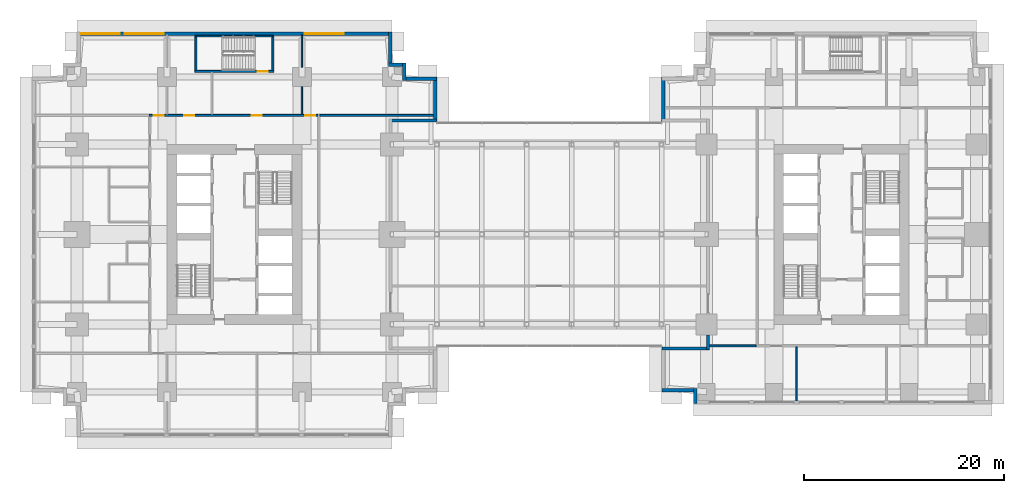
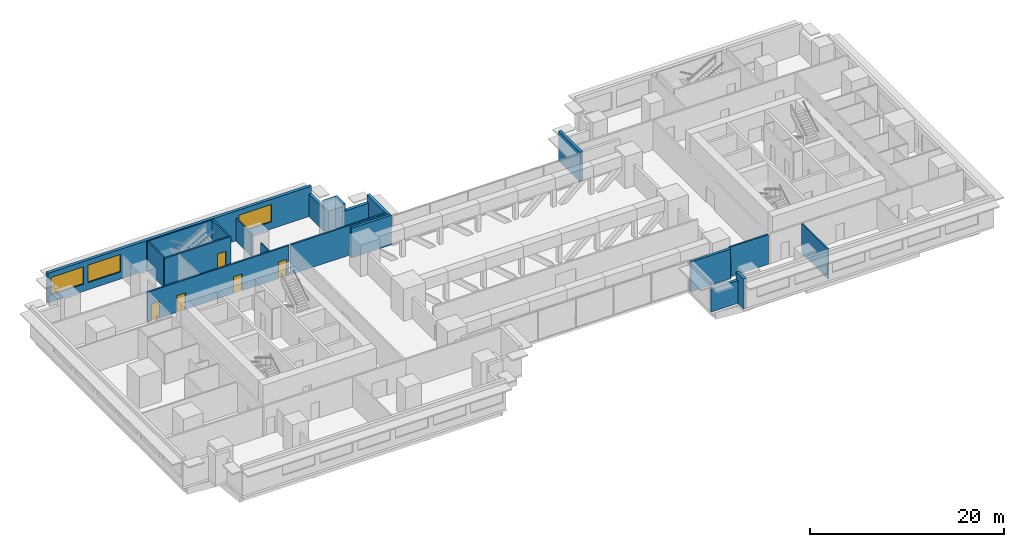
# One storey, part 9 of 15: 22 walls, 5 doors, 3 windows, 8 openings.
"""IFC4 building model written with IfcOpenShell, lengths in metres."""

import ifcopenshell
import ifcopenshell.guid

model = None  # the IFC model being written
_history = None  # IfcOwnerHistory: only IFC2X3 demands one
_inside = {}  # id of a spatial element -> (the spatial element, [elements in it])
_under = {}  # id of a project, library or spatial element -> (it, [spatial elements below it])
_declared = {}  # id of a project -> (the project, [libraries it declares])
_typed = {}  # id of a type object -> (the type object, [elements of that type])
_made_of = {}  # id of a material, layer set ... -> (it, [elements and type objects made of it])


def new_model(schema):
    """Start an empty IFC model of exactly this schema.

    Asked for "IFC4X3", IfcOpenShell would pick the latest addendum, in which some entities
    have other attributes; the version numbers below select the first issue.
    IFC2X3 requires an IfcOwnerHistory on every rooted entity: one is made here for all.
    """
    global model, _history
    if schema == "IFC4X3":
        model = ifcopenshell.file(schema_version=(4, 3, 0, 0))
    else:
        model = ifcopenshell.file(schema=schema)
    _inside.clear()
    _under.clear()
    _declared.clear()
    _typed.clear()
    _made_of.clear()
    _history = None
    if model.schema == "IFC2X3":
        org = make("IfcOrganization", Name="unknown")
        user = make(
            "IfcPersonAndOrganization",
            ThePerson=make("IfcPerson", FamilyName="unknown"),
            TheOrganization=org,
        )
        app = make(
            "IfcApplication",
            ApplicationDeveloper=org,
            Version="unknown",
            ApplicationFullName="unknown",
            ApplicationIdentifier="unknown",
        )
        _history = make(
            "IfcOwnerHistory",
            OwningUser=user,
            OwningApplication=app,
            ChangeAction="ADDED",
            CreationDate=0,
        )
    return model


def make(cls, **values):
    """One entity of the class cls with the attributes given. An attribute that is None is left unset."""
    return model.create_entity(
        cls, **{name: value for name, value in values.items() if value is not None}
    )


def rooted(cls, **values):
    """An entity with a GlobalId (a new one), such as an element, a storey or a relation."""
    return make(cls, GlobalId=ifcopenshell.guid.new(), OwnerHistory=_history, **values)


def si_unit(unit_type, name, prefix=None):
    """IfcSIUnit, for example si_unit("LENGTHUNIT", "METRE", prefix="MILLI")."""
    return make("IfcSIUnit", UnitType=unit_type, Prefix=prefix, Name=name)


def assignment(units):
    """IfcUnitAssignment: the units of a project."""
    return None if units is None else make("IfcUnitAssignment", Units=units)


def point(xyz):
    """IfcCartesianPoint."""
    return None if xyz is None else make("IfcCartesianPoint", Coordinates=xyz)


def direction(xyz):
    """IfcDirection."""
    return None if xyz is None else make("IfcDirection", DirectionRatios=xyz)


def frame(location, z_axis=None, x_axis=None):
    """IfcAxis2Placement3D, a coordinate frame: its origin and axes. An axis left out is left unset."""
    return make(
        "IfcAxis2Placement3D",
        Location=point(location),
        Axis=direction(z_axis),
        RefDirection=direction(x_axis),
    )


def frame_2d(location, x_axis=None):
    """IfcAxis2Placement2D, a coordinate frame in the plane: its origin and x axis."""
    return make(
        "IfcAxis2Placement2D", Location=point(location), RefDirection=direction(x_axis)
    )


def origin():
    """The frame at (0, 0, 0) with its axes left unset."""
    return frame((0.0, 0.0, 0.0))


def place(relative_to, where):
    """IfcLocalPlacement: puts the frame where relative to a parent placement (None: the world)."""
    return make(
        "IfcLocalPlacement", PlacementRelTo=relative_to, RelativePlacement=where
    )


def context(
    kind, dimensions, precision=None, world=None, true_north=None, identifier=None
):
    """IfcGeometricRepresentationContext, for example the 3D "Model" context."""
    return make(
        "IfcGeometricRepresentationContext",
        ContextIdentifier=identifier,
        ContextType=kind,
        CoordinateSpaceDimension=dimensions,
        Precision=precision,
        WorldCoordinateSystem=world,
        TrueNorth=true_north,
    )


def subcontext(parent, identifier, kind, view, scale=None):
    """IfcGeometricRepresentationSubContext, for example "Body" below "Model"."""
    return make(
        "IfcGeometricRepresentationSubContext",
        ContextIdentifier=identifier,
        ContextType=kind,
        ParentContext=parent,
        TargetScale=scale,
        TargetView=view,
    )


def project(units=None, contexts=None):
    """IfcProject with its units and contexts."""
    return rooted(
        "IfcProject",
        Name="project",
        RepresentationContexts=contexts,
        UnitsInContext=assignment(units),
    )


def spatial(cls, under=None, at=None, **own):
    """A site, building, storey or space (cls), placed at a placement, below another one or the project."""
    s = rooted(cls, ObjectPlacement=at, **own)
    if under is not None:
        _under.setdefault(under.id(), (under, []))[1].append(s)
    return s


def profile(cls, at=None, kind="AREA", **sizes):
    """A parametric profile (cls). Its sizes go by their IFC names, for example OverallWidth=200.0."""
    return make(cls, ProfileType=kind, Position=at, **sizes)


def rectangle(**sizes):
    """IfcRectangleProfileDef."""
    return profile("IfcRectangleProfileDef", **sizes)


def extrude(swept, where, along, depth):
    """IfcExtrudedAreaSolid: the profile swept, set in the frame where, extruded along a direction by depth."""
    return make(
        "IfcExtrudedAreaSolid",
        SweptArea=swept,
        Position=where,
        ExtrudedDirection=direction(along),
        Depth=depth,
    )


def shape(context_of_items, identifier, shape_type, items):
    """IfcShapeRepresentation: the items that make up one representation, for example the "Body"."""
    return make(
        "IfcShapeRepresentation",
        ContextOfItems=context_of_items,
        RepresentationIdentifier=identifier,
        RepresentationType=shape_type,
        Items=items,
    )


def material(Name=None, Category=None):
    """IfcMaterial."""
    return make("IfcMaterial", Name=Name, Category=Category)


def layer(
    of_material, thickness, ventilated=None, Name=None, Category=None, Priority=None
):
    """IfcMaterialLayer: one layer of a wall or slab, of a material (None: an air gap)."""
    return make(
        "IfcMaterialLayer",
        Material=of_material,
        LayerThickness=thickness,
        IsVentilated=ventilated,
        Name=Name,
        Category=Category,
        Priority=Priority,
    )


def layer_set(layers, Name=None):
    """IfcMaterialLayerSet."""
    return make("IfcMaterialLayerSet", MaterialLayers=layers, LayerSetName=Name)


def made_of(thing, what):
    """Note that an element or type object is made of a material, layer set ...; save() writes the relation."""
    if what is not None:
        _made_of.setdefault(what.id(), (what, []))[1].append(thing)
    return thing


def type_object(cls, material=None, **own):
    """A type object (cls), such as IfcWallType, which elements share."""
    return made_of(rooted(cls, **own), material)


def element(
    cls,
    number,
    at=None,
    inside=None,
    cuts=None,
    type_object=None,
    material=None,
    context=None,
    identifier="Body",
    shape_type=None,
    held_by="IfcProductDefinitionShape",
    body=None,
    shapes=None,
    **own,
):
    """One element of the class cls, such as IfcWall. Its Tag is "e" and its number.

    at: its placement. inside: the storey or other place that contains it. cuts: it is an
    opening in that element (IfcRelVoidsElement). A single representation is given by context,
    identifier, shape_type and body (its items); several are given by shapes. held_by: the class
    of the entity that holds the representations. save() writes the other relations.
    """
    e = rooted(cls, Tag="e%d" % number, ObjectPlacement=at, **own)
    if body is not None:
        shapes = [shape(context, identifier, shape_type, body)]
    if shapes is not None:
        e.Representation = make(held_by, Representations=shapes)
    if inside is not None:
        _inside.setdefault(inside.id(), (inside, []))[1].append(e)
    if cuts is not None:
        rooted(
            "IfcRelVoidsElement", RelatingBuildingElement=cuts, RelatedOpeningElement=e
        )
    if type_object is not None:
        _typed.setdefault(type_object.id(), (type_object, []))[1].append(e)
    return made_of(e, material)


def fill(opening, filler):
    """IfcRelFillsElement: the door or window that sits in an opening."""
    return rooted(
        "IfcRelFillsElement",
        RelatingOpeningElement=opening,
        RelatedBuildingElement=filler,
    )


def aggregate(whole, parts):
    """IfcRelAggregates: a whole, such as a stair, and the parts it consists of."""
    return rooted("IfcRelAggregates", RelatingObject=whole, RelatedObjects=parts)


def save(model, path):
    """Write the relations noted so far, then the file.

    IfcRelAggregates (storeys below a building ...), IfcRelContainedInSpatialStructure (elements
    in a storey), IfcRelDefinesByType, IfcRelAssociatesMaterial and IfcRelDeclares: one each for
    every whole, place, type object, material and project.
    """
    for whole, parts in _under.values():
        aggregate(whole, parts)
    for where, things in _inside.values():
        rooted(
            "IfcRelContainedInSpatialStructure",
            RelatedElements=things,
            RelatingStructure=where,
        )
    for kind, things in _typed.values():
        rooted("IfcRelDefinesByType", RelatedObjects=things, RelatingType=kind)
    for what, things in _made_of.values():
        rooted("IfcRelAssociatesMaterial", RelatedObjects=things, RelatingMaterial=what)
    for by, libraries in _declared.values():
        rooted("IfcRelDeclares", RelatingContext=by, RelatedDefinitions=libraries)
    model.write(path)


model = new_model("IFC4")

# Units and contexts
model_context = context("Model", 3, precision=1e-05, world=origin(), true_north=direction((0.0, 1.0)))
body_context = subcontext(model_context, "Body", "Model", "MODEL_VIEW")
ifc_project = project(units=[si_unit("LENGTHUNIT", "METRE"), si_unit("AREAUNIT", "SQUARE_METRE"), si_unit("VOLUMEUNIT", "CUBIC_METRE"), si_unit("PLANEANGLEUNIT", "RADIAN"), si_unit("MASSUNIT", "GRAM", prefix="KILO")], contexts=[model_context])

# Site, building, storey
site_placement = place(None, origin())
site = spatial("IfcSite", under=ifc_project, at=site_placement, CompositionType="ELEMENT")
building_placement = place(site_placement, origin())
building = spatial("IfcBuilding", under=site, at=building_placement, Name="Namib Vertical Campus", CompositionType="ELEMENT")
storey_placement = place(building_placement, frame((0.0, 0.0, 105.0)))
storey = spatial("IfcBuildingStorey", under=building, at=storey_placement, Name="L24", CompositionType="ELEMENT", Elevation=105.0)

# Wall, openings, doors
ifc_material_1 = material(Name="Concrete masonry", Category="masonry")
ifc_layer_1 = layer(ifc_material_1, 0.199951171875)
ifc_layer_set_1 = layer_set([ifc_layer_1], Name="Corridor wall 200")
wall_type_1 = type_object("IfcWallType", Name="Corridor wall 200", PredefinedType="SOLIDWALL", material=ifc_layer_set_1)
wall_1_placement = place(storey_placement, frame((28.60009765625, 32.14990234375, 0.0), z_axis=(0.0, 0.0, 1.0), x_axis=(-1.0, 0.0, 0.0)))
wall_1 = element("IfcWall", 1, at=wall_1_placement, inside=storey, type_object=wall_type_1, Name="Corridor wall A L24 CN", PredefinedType="SOLIDWALL", context=body_context, shape_type="SweptSolid", body=[
    extrude(rectangle(XDim=16.900146484375, YDim=0.199951171875, at=frame_2d((8.4501953125, 0.0))), origin(), (0.0, 0.0, 1.0), 3.75),
])
opening_1_placement = place(wall_1_placement, frame((15.425048828125, 0.0, 0.0)))
opening_1 = element("IfcOpeningElement", 2, at=opening_1_placement, cuts=wall_1, Name="Opening CD1", PredefinedType="OPENING", context=body_context, shape_type="SweptSolid", body=[
    extrude(rectangle(XDim=1.0, YDim=2.10009765625, at=frame_2d((0.5, 1.050048828125))), frame((0.0, 0.10986328125, 0.0), z_axis=(0.0, -1.0, 0.0), x_axis=(1.0, 0.0, 0.0)), (0.0, 0.0, 1.0), 0.219970703125),
])
opening_2_placement = place(wall_1_placement, frame((12.35009765625, 0.0, 0.0)))
opening_2 = element("IfcOpeningElement", 3, at=opening_2_placement, cuts=wall_1, Name="Opening CD1", PredefinedType="OPENING", context=body_context, shape_type="SweptSolid", body=[
    extrude(rectangle(XDim=1.0, YDim=2.10009765625, at=frame_2d((0.5, 1.050048828125))), frame((0.0, 0.10986328125, 0.0), z_axis=(0.0, -1.0, 0.0), x_axis=(1.0, 0.0, 0.0)), (0.0, 0.0, 1.0), 0.219970703125),
])
opening_3_placement = place(wall_1_placement, frame((5.60009765625, 0.0, 0.0)))
opening_3 = element("IfcOpeningElement", 4, at=opening_3_placement, cuts=wall_1, Name="Opening CD1", PredefinedType="OPENING", context=body_context, shape_type="SweptSolid", body=[
    extrude(rectangle(XDim=1.0, YDim=2.10009765625, at=frame_2d((0.5, 1.050048828125))), frame((0.0, 0.10986328125, 0.0), z_axis=(0.0, -1.0, 0.0), x_axis=(1.0, 0.0, 0.0)), (0.0, 0.0, 1.0), 0.219970703125),
])
opening_4_placement = place(wall_1_placement, frame((0.27490234375, 0.0, 0.0)))
opening_4 = element("IfcOpeningElement", 5, at=opening_4_placement, cuts=wall_1, Name="Opening CD1", PredefinedType="OPENING", context=body_context, shape_type="SweptSolid", body=[
    extrude(rectangle(XDim=1.0, YDim=2.10009765625, at=frame_2d((0.5, 1.050048828125))), frame((0.0, 0.10986328125, 0.0), z_axis=(0.0, -1.0, 0.0), x_axis=(1.0, 0.0, 0.0)), (0.0, 0.0, 1.0), 0.219970703125),
])
ifc_material_2 = material(Name="Timber fire door leaf", Category="wood")
door_type_1 = type_object("IfcDoorType", Name="Corridor door 1000x2100 20 min", OperationType="SINGLE_SWING_LEFT", PredefinedType="DOOR", material=ifc_material_2)
door_1_placement = place(opening_1_placement, frame((1.0, 0.0, 0.0), z_axis=(0.0, 0.0, 1.0), x_axis=(-1.0, 0.0, 0.0)))
door_1 = element("IfcDoor", 6, at=door_1_placement, inside=storey, type_object=door_type_1, Name="Door CD1 A24-05", OperationType="SINGLE_SWING_RIGHT", OverallHeight=2.10009765625, OverallWidth=1.0, PredefinedType="DOOR", context=body_context, shape_type="SweptSolid", body=[
    extrude(rectangle(XDim=1.0, YDim=2.10009765625, at=frame_2d((0.5, 1.050048828125))), frame((0.0, 0.02490234375, 0.0), z_axis=(0.0, -1.0, 0.0), x_axis=(1.0, 0.0, 0.0)), (0.0, 0.0, 1.0), 0.050048828125),
])
fill(opening_1, door_1)
door_2_placement = place(opening_2_placement, frame((1.0, 0.0, 0.0), z_axis=(0.0, 0.0, 1.0), x_axis=(-1.0, 0.0, 0.0)))
door_2 = element("IfcDoor", 7, at=door_2_placement, inside=storey, type_object=door_type_1, Name="Door CD1 A24-06", OperationType="SINGLE_SWING_RIGHT", OverallHeight=2.10009765625, OverallWidth=1.0, PredefinedType="DOOR", context=body_context, shape_type="SweptSolid", body=[
    extrude(rectangle(XDim=1.0, YDim=2.10009765625, at=frame_2d((0.5, 1.050048828125))), frame((0.0, 0.02490234375, 0.0), z_axis=(0.0, -1.0, 0.0), x_axis=(1.0, 0.0, 0.0)), (0.0, 0.0, 1.0), 0.050048828125),
])
fill(opening_2, door_2)
door_3_placement = place(opening_3_placement, frame((1.0, 0.0, 0.0), z_axis=(0.0, 0.0, 1.0), x_axis=(-1.0, 0.0, 0.0)))
door_3 = element("IfcDoor", 8, at=door_3_placement, inside=storey, type_object=door_type_1, Name="Door CD1 A24-07", OperationType="SINGLE_SWING_RIGHT", OverallHeight=2.10009765625, OverallWidth=1.0, PredefinedType="DOOR", context=body_context, shape_type="SweptSolid", body=[
    extrude(rectangle(XDim=1.0, YDim=2.10009765625, at=frame_2d((0.5, 1.050048828125))), frame((0.0, 0.02490234375, 0.0), z_axis=(0.0, -1.0, 0.0), x_axis=(1.0, 0.0, 0.0)), (0.0, 0.0, 1.0), 0.050048828125),
])
fill(opening_3, door_3)
door_4_placement = place(opening_4_placement, frame((1.0, 0.0, 0.0), z_axis=(0.0, 0.0, 1.0), x_axis=(-1.0, 0.0, 0.0)))
door_4 = element("IfcDoor", 9, at=door_4_placement, inside=storey, type_object=door_type_1, Name="Door CD1 A24-08", OperationType="SINGLE_SWING_LEFT", OverallHeight=2.10009765625, OverallWidth=1.0, PredefinedType="DOOR", context=body_context, shape_type="SweptSolid", body=[
    extrude(rectangle(XDim=1.0, YDim=2.10009765625, at=frame_2d((0.5, 1.050048828125))), frame((0.0, 0.02490234375, 0.0), z_axis=(0.0, -1.0, 0.0), x_axis=(1.0, 0.0, 0.0)), (0.0, 0.0, 1.0), 0.050048828125),
])
fill(opening_4, door_4)

# Walls
wall_2_placement = place(storey_placement, frame((28.800048828125, 32.14990234375, 0.0), z_axis=(0.0, 0.0, 1.0), x_axis=(1.0, 0.0, 0.0)))
element("IfcWall", 10, at=wall_2_placement, inside=storey, type_object=wall_type_1, Name="Partition A L24 BNE", PredefinedType="SOLIDWALL", context=body_context, shape_type="SweptSolid", body=[
    extrude(rectangle(XDim=11.39990234375, YDim=0.199951171875, at=frame_2d((5.699951171875, 0.0))), origin(), (0.0, 0.0, 1.0), 3.75),
])
wall_3_placement = place(storey_placement, frame((67.800048828125, 9.10009765625, 0.0), z_axis=(0.0, 0.0, 1.0), x_axis=(1.0, 0.0, 0.0)))
element("IfcWall", 11, at=wall_3_placement, inside=storey, type_object=wall_type_1, Name="Partition B L24 BSW", PredefinedType="SOLIDWALL", context=body_context, shape_type="SweptSolid", body=[
    extrude(rectangle(XDim=4.64990234375, YDim=0.199951171875, at=frame_2d((2.324951171875, 0.0))), origin(), (0.0, 0.0, 1.0), 3.75),
])
ifc_material_3 = material(Name="Concrete C40/50", Category="concrete")
ifc_layer_2 = layer(ifc_material_3, 0.35009765625)
ifc_layer_set_2 = layer_set([ifc_layer_2], Name="Concrete C40/50")
wall_type_2 = type_object("IfcWallType", Name="External wall 350 bush-hammered concrete", PredefinedType="STANDARD", material=ifc_layer_set_2)
wall_4_placement = place(storey_placement, frame((40.324951171875, 31.52001953125, 0.0), z_axis=(0.0, 0.0, 1.0), x_axis=(0.0, 1.0, 0.0)))
element("IfcWall", 12, at=wall_4_placement, inside=storey, type_object=wall_type_2, Name="External wall L24 F11", PredefinedType="STANDARD", context=body_context, shape_type="SweptSolid", body=[
    extrude(rectangle(XDim=4.4599609375, YDim=0.35009765625, at=frame_2d((2.22998046875, 0.0))), origin(), (0.0, 0.0, 1.0), 3.75),
])
wall_5_placement = place(storey_placement, frame((40.47998046875, 35.824951171875, 0.0), z_axis=(0.0, 0.0, 1.0), x_axis=(-1.0, 0.0, 0.0)))
element("IfcWall", 13, at=wall_5_placement, inside=storey, type_object=wall_type_2, Name="External wall L24 F12", PredefinedType="STANDARD", context=body_context, shape_type="SweptSolid", body=[
    extrude(rectangle(XDim=3.409912109375, YDim=0.35009765625, at=frame_2d((1.705078125, 0.0))), origin(), (0.0, 0.0, 1.0), 2.85009765625),
])
for number, where, z_axis, x_axis, name in (
    (14, (37.22509765625, 35.669921875, 0.0), (0.0, 0.0, 1.0), (0.0, 1.0, 0.0), "External wall L24 F13"),
    (15, (37.3798828125, 37.22509765625, 0.0), (0.0, 0.0, 1.0), (-1.0, 0.0, 0.0), "External wall L24 F14"),
):
    element("IfcWall", number, at=place(storey_placement, frame(where, z_axis=z_axis, x_axis=x_axis)), inside=storey, type_object=wall_type_2, Name=name, PredefinedType="STANDARD", context=body_context, shape_type="SweptSolid", body=[
        extrude(rectangle(XDim=1.7099609375, YDim=0.35009765625, at=frame_2d((0.85498046875, 0.0))), origin(), (0.0, 0.0, 1.0), 3.75),
    ])
wall_6_placement = place(storey_placement, frame((35.824951171875, 37.070068359375, 0.0), z_axis=(0.0, 0.0, 1.0), x_axis=(0.0, 1.0, 0.0)))
element("IfcWall", 16, at=wall_6_placement, inside=storey, type_object=wall_type_2, Name="External wall L24 F15", PredefinedType="STANDARD", context=body_context, shape_type="SweptSolid", body=[
    extrude(rectangle(XDim=3.409912109375, YDim=0.35009765625, at=frame_2d((1.705078125, 0.0))), origin(), (0.0, 0.0, 1.0), 2.85009765625),
])

# Wall, openings, windows
wall_7_placement = place(storey_placement, frame((35.97998046875, 40.324951171875, 0.0), z_axis=(0.0, 0.0, 1.0), x_axis=(-1.0, 0.0, 0.0)))
wall_7 = element("IfcWall", 17, at=wall_7_placement, inside=storey, type_object=wall_type_2, Name="External wall L24 F16", PredefinedType="STANDARD", context=body_context, shape_type="SweptSolid", body=[
    extrude(rectangle(XDim=31.4599609375, YDim=0.35009765625, at=frame_2d((15.72998046875, 0.0))), origin(), (0.0, 0.0, 1.0), 3.75),
])
opening_5_placement = place(wall_7_placement, frame((27.2099609375, 0.0, 0.89990234375)))
opening_5 = element("IfcOpeningElement", 18, at=opening_5_placement, cuts=wall_7, Name="Opening W1", PredefinedType="OPENING", context=body_context, shape_type="SweptSolid", body=[
    extrude(rectangle(XDim=3.89990234375, YDim=2.199951171875, at=frame_2d((1.949951171875, 1.10009765625))), frame((0.0, 0.18505859375, 0.0), z_axis=(0.0, -1.0, 0.0), x_axis=(1.0, 0.0, 0.0)), (0.0, 0.0, 1.0), 0.3701171875),
])
opening_6_placement = place(wall_7_placement, frame((22.780029296875, 0.0, 0.89990234375)))
opening_6 = element("IfcOpeningElement", 19, at=opening_6_placement, cuts=wall_7, Name="Opening W1", PredefinedType="OPENING", context=body_context, shape_type="SweptSolid", body=[
    extrude(rectangle(XDim=3.89990234375, YDim=2.199951171875, at=frame_2d((1.949951171875, 1.10009765625))), frame((0.0, 0.18505859375, 0.0), z_axis=(0.0, -1.0, 0.0), x_axis=(1.0, 0.0, 0.0)), (0.0, 0.0, 1.0), 0.3701171875),
])
opening_7_placement = place(wall_7_placement, frame((4.780029296875, 0.0, 0.89990234375)))
opening_7 = element("IfcOpeningElement", 20, at=opening_7_placement, cuts=wall_7, Name="Opening W1", PredefinedType="OPENING", context=body_context, shape_type="SweptSolid", body=[
    extrude(rectangle(XDim=3.89990234375, YDim=2.199951171875, at=frame_2d((1.949951171875, 1.10009765625))), frame((0.0, 0.18505859375, 0.0), z_axis=(0.0, -1.0, 0.0), x_axis=(1.0, 0.0, 0.0)), (0.0, 0.0, 1.0), 0.3701171875),
])
ifc_material_4 = material(Name="Dark tinted glass in black aluminium frame", Category="aluminium")
window_type = type_object("IfcWindowType", Name="Ribbon window 3900x2200", PartitioningType="SINGLE_PANEL", PredefinedType="WINDOW", material=ifc_material_4)
window_1_placement = place(opening_5_placement, origin())
window_1 = element("IfcWindow", 21, at=window_1_placement, inside=storey, type_object=window_type, Name="Window W1 L24 F16-1", OverallHeight=2.199951171875, OverallWidth=3.89990234375, PartitioningType="SINGLE_PANEL", PredefinedType="WINDOW", context=body_context, shape_type="SweptSolid", body=[
    extrude(rectangle(XDim=3.89990234375, YDim=2.199951171875, at=frame_2d((1.949951171875, 1.10009765625))), frame((0.0, 0.030029296875, 0.0), z_axis=(0.0, -1.0, 0.0), x_axis=(1.0, 0.0, 0.0)), (0.0, 0.0, 1.0), 0.06005859375),
])
fill(opening_5, window_1)
window_2_placement = place(opening_6_placement, origin())
window_2 = element("IfcWindow", 22, at=window_2_placement, inside=storey, type_object=window_type, Name="Window W1 L24 F16-2", OverallHeight=2.199951171875, OverallWidth=3.89990234375, PartitioningType="SINGLE_PANEL", PredefinedType="WINDOW", context=body_context, shape_type="SweptSolid", body=[
    extrude(rectangle(XDim=3.89990234375, YDim=2.199951171875, at=frame_2d((1.949951171875, 1.10009765625))), frame((0.0, 0.030029296875, 0.0), z_axis=(0.0, -1.0, 0.0), x_axis=(1.0, 0.0, 0.0)), (0.0, 0.0, 1.0), 0.06005859375),
])
fill(opening_6, window_2)
window_3_placement = place(opening_7_placement, origin())
window_3 = element("IfcWindow", 23, at=window_3_placement, inside=storey, type_object=window_type, Name="Window W1 L24 F16-6", OverallHeight=2.199951171875, OverallWidth=3.89990234375, PartitioningType="SINGLE_PANEL", PredefinedType="WINDOW", context=body_context, shape_type="SweptSolid", body=[
    extrude(rectangle(XDim=3.89990234375, YDim=2.199951171875, at=frame_2d((1.949951171875, 1.10009765625))), frame((0.0, 0.030029296875, 0.0), z_axis=(0.0, -1.0, 0.0), x_axis=(1.0, 0.0, 0.0)), (0.0, 0.0, 1.0), 0.06005859375),
])
fill(opening_7, window_3)

# Walls
wall_8_placement = place(storey_placement, frame((63.02001953125, 4.675048828125, 0.0), z_axis=(0.0, 0.0, 1.0), x_axis=(1.0, 0.0, 0.0)))
element("IfcWall", 24, at=wall_8_placement, inside=storey, type_object=wall_type_2, Name="External wall L24 F02", PredefinedType="STANDARD", context=body_context, shape_type="SweptSolid", body=[
    extrude(rectangle(XDim=3.510009765625, YDim=0.35009765625, at=frame_2d((1.7548828125, 0.0))), origin(), (0.0, 0.0, 1.0), 2.85009765625),
])
wall_9_placement = place(storey_placement, frame((66.375, 4.830078125, 0.0), z_axis=(0.0, 0.0, 1.0), x_axis=(0.0, -1.0, 0.0)))
element("IfcWall", 25, at=wall_9_placement, inside=storey, type_object=wall_type_2, Name="External wall L24 F03", PredefinedType="STANDARD", context=body_context, shape_type="SweptSolid", body=[
    extrude(rectangle(XDim=1.510009765625, YDim=0.35009765625, at=frame_2d((0.7548828125, 0.0))), origin(), (0.0, 0.0, 1.0), 3.75),
])
wall_10_placement = place(storey_placement, frame((63.175048828125, 35.97998046875, 0.0), z_axis=(0.0, 0.0, 1.0), x_axis=(0.0, -1.0, 0.0)))
element("IfcWall", 26, at=wall_10_placement, inside=storey, type_object=wall_type_2, Name="External wall L24 F13", PredefinedType="STANDARD", context=body_context, shape_type="SweptSolid", body=[
    extrude(rectangle(XDim=4.4599609375, YDim=0.35009765625, at=frame_2d((2.22998046875, 0.0))), origin(), (0.0, 0.0, 1.0), 3.75),
])
ifc_material_5 = material(Name="Concrete masonry", Category="masonry")
ifc_layer_3 = layer(ifc_material_5, 0.300048828125)
ifc_layer_set_3 = layer_set([ifc_layer_3], Name="Fire wall 300")
wall_type_3 = type_object("IfcWallType", Name="Fire wall 300", PredefinedType="SOLIDWALL", material=ifc_layer_set_3)
wall_11_placement = place(storey_placement, frame((35.719970703125, 31.64990234375, 0.0), z_axis=(0.0, 0.0, 1.0), x_axis=(1.0, 0.0, 0.0)))
element("IfcWall", 27, at=wall_11_placement, inside=storey, type_object=wall_type_3, Name="External wall L24 F10", PredefinedType="SOLIDWALL", context=body_context, shape_type="SweptSolid", body=[
    extrude(rectangle(XDim=4.760009765625, YDim=0.300048828125, at=frame_2d((2.3798828125, 0.0))), origin(), (0.0, 0.0, 1.0), 3.75),
])
wall_12_placement = place(storey_placement, frame((67.64990234375, 10.199951171875, 0.0), z_axis=(0.0, 0.0, 1.0), x_axis=(0.0, -1.0, 0.0)))
element("IfcWall", 28, at=wall_12_placement, inside=storey, type_object=wall_type_3, Name="External wall L24 F15", PredefinedType="SOLIDWALL", context=body_context, shape_type="SweptSolid", body=[
    extrude(rectangle(XDim=1.47998046875, YDim=0.300048828125, at=frame_2d((0.739990234375, 0.0))), origin(), (0.0, 0.0, 1.0), 2.64990234375),
])
wall_13_placement = place(storey_placement, frame((67.780029296875, 8.85009765625, 0.0), z_axis=(0.0, 0.0, 1.0), x_axis=(-1.0, 0.0, 0.0)))
element("IfcWall", 29, at=wall_13_placement, inside=storey, type_object=wall_type_3, Name="External wall L24 F16", PredefinedType="SOLIDWALL", context=body_context, shape_type="SweptSolid", body=[
    extrude(rectangle(XDim=4.760009765625, YDim=0.300048828125, at=frame_2d((2.3798828125, 0.0))), origin(), (0.0, 0.0, 1.0), 3.75),
])
ifc_material_6 = material(Name="Gypsum board on steel studs", Category="steel")
ifc_layer_4 = layer(ifc_material_6, 0.14990234375)
ifc_layer_set_4 = layer_set([ifc_layer_4], Name="Gypsum board on steel studs")
wall_type_4 = type_object("IfcWallType", Name="Partition 150", PredefinedType="PARTITIONING", material=ifc_layer_set_4)
wall_14_placement = place(storey_placement, frame((27.0, 32.25, 0.0), z_axis=(0.0, 0.0, 1.0), x_axis=(0.0, 1.0, 0.0)))
element("IfcWall", 30, at=wall_14_placement, inside=storey, type_object=wall_type_4, Name="Partition A L24 PN3", PredefinedType="PARTITIONING", context=body_context, shape_type="SweptSolid", body=[
    extrude(rectangle(XDim=2.780029296875, YDim=0.14990234375, at=frame_2d((1.39013671875, 0.0))), origin(), (0.0, 0.0, 1.0), 2.85009765625),
])
wall_15_placement = place(storey_placement, frame((27.0, 36.969970703125, 0.0), z_axis=(0.0, 0.0, 1.0), x_axis=(0.0, 1.0, 0.0)))
element("IfcWall", 31, at=wall_15_placement, inside=storey, type_object=wall_type_4, Name="Partition A L24 PN3", PredefinedType="PARTITIONING", context=body_context, shape_type="SweptSolid", body=[
    extrude(rectangle(XDim=3.22998046875, YDim=0.14990234375, at=frame_2d((1.614990234375, 0.0))), origin(), (0.0, 0.0, 1.0), 2.85009765625),
])
wall_16_placement = place(storey_placement, frame((76.5, 3.60009765625, 0.0), z_axis=(0.0, 0.0, 1.0), x_axis=(0.0, 1.0, 0.0)))
element("IfcWall", 32, at=wall_16_placement, inside=storey, type_object=wall_type_4, Name="Partition B L24 PS1", PredefinedType="PARTITIONING", context=body_context, shape_type="SweptSolid", body=[
    extrude(rectangle(XDim=5.39990234375, YDim=0.14990234375, at=frame_2d((2.699951171875, 0.0))), origin(), (0.0, 0.0, 1.0), 3.75),
])
ifc_material_7 = material(Name="Concrete C40/50", Category="concrete")
ifc_layer_5 = layer(ifc_material_7, 0.14990234375)
ifc_layer_set_5 = layer_set([ifc_layer_5], Name="Concrete C40/50")
wall_type_5 = type_object("IfcWallType", Name="Stair enclosure wall RC 150", PredefinedType="SOLIDWALL", material=ifc_layer_set_5)
wall_17_placement = place(storey_placement, frame((16.300048828125, 40.074951171875, 0.0), z_axis=(0.0, 0.0, 1.0), x_axis=(1.0, 0.0, 0.0)))
element("IfcWall", 33, at=wall_17_placement, inside=storey, type_object=wall_type_5, Name="Stair enclosure wall A-S3 L24 N", PredefinedType="SOLIDWALL", context=body_context, shape_type="SweptSolid", body=[
    extrude(rectangle(XDim=7.89990234375, YDim=0.14990234375, at=frame_2d((3.949951171875, 0.0))), origin(), (0.0, 0.0, 1.0), 3.75),
])

# Wall, opening, door
ifc_material_8 = material(Name="Concrete C40/50", Category="concrete")
ifc_layer_6 = layer(ifc_material_8, 0.199951171875)
ifc_layer_set_6 = layer_set([ifc_layer_6], Name="Concrete C40/50")
wall_type_6 = type_object("IfcWallType", Name="Stair enclosure wall RC 200", PredefinedType="SOLIDWALL", material=ifc_layer_set_6)
wall_18_placement = place(storey_placement, frame((16.300048828125, 36.550048828125, 0.0), z_axis=(0.0, 0.0, 1.0), x_axis=(1.0, 0.0, 0.0)))
wall_18 = element("IfcWall", 34, at=wall_18_placement, inside=storey, type_object=wall_type_6, Name="Stair enclosure wall A-S3 L24 S", PredefinedType="SOLIDWALL", context=body_context, shape_type="SweptSolid", body=[
    extrude(rectangle(XDim=7.89990234375, YDim=0.199951171875, at=frame_2d((3.949951171875, 0.0))), origin(), (0.0, 0.0, 1.0), 3.75),
])
opening_8_placement = place(wall_18_placement, frame((6.300048828125, 0.0, 0.0)))
opening_8 = element("IfcOpeningElement", 35, at=opening_8_placement, cuts=wall_18, Name="Opening FD1", PredefinedType="OPENING", context=body_context, shape_type="SweptSolid", body=[
    extrude(rectangle(XDim=1.0, YDim=2.10009765625, at=frame_2d((0.5, 1.050048828125))), frame((0.0, 0.10986328125, 0.0), z_axis=(0.0, -1.0, 0.0), x_axis=(1.0, 0.0, 0.0)), (0.0, 0.0, 1.0), 0.219970703125),
])
ifc_material_9 = material(Name="Steel fire door", Category="steel")
door_type_2 = type_object("IfcDoorType", Name="Fire door 1000x2100", OperationType="SINGLE_SWING_RIGHT", PredefinedType="DOOR", material=ifc_material_9)
door_5_placement = place(opening_8_placement, origin())
door_5 = element("IfcDoor", 36, at=door_5_placement, inside=storey, type_object=door_type_2, Name="Stair door FD1 A L24 S3", OperationType="SINGLE_SWING_RIGHT", OverallHeight=2.10009765625, OverallWidth=1.0, PredefinedType="DOOR", context=body_context, shape_type="SweptSolid", body=[
    extrude(rectangle(XDim=1.0, YDim=2.10009765625, at=frame_2d((0.5, 1.050048828125))), frame((0.0, 0.02490234375, 0.0), z_axis=(0.0, -1.0, 0.0), x_axis=(1.0, 0.0, 0.0)), (0.0, 0.0, 1.0), 0.050048828125),
])
fill(opening_8, door_5)

# Walls
for number, where, z_axis, x_axis, name in (
    (37, (16.39990234375, 36.64990234375, 0.0), (0.0, 0.0, 1.0), (0.0, 1.0, 0.0), "Stair enclosure wall A-S3 L24 W"),
    (38, (24.10009765625, 36.64990234375, 0.0), (0.0, 0.0, 1.0), (0.0, 1.0, 0.0), "Stair enclosure wall A-S3 L24 E"),
):
    element("IfcWall", number, at=place(storey_placement, frame(where, z_axis=z_axis, x_axis=x_axis)), inside=storey, type_object=wall_type_6, Name=name, PredefinedType="SOLIDWALL", context=body_context, shape_type="SweptSolid", body=[
        extrude(rectangle(XDim=3.35009765625, YDim=0.199951171875, at=frame_2d((1.675048828125, 0.0))), origin(), (0.0, 0.0, 1.0), 3.75),
    ])

save(model, "model.ifc")
